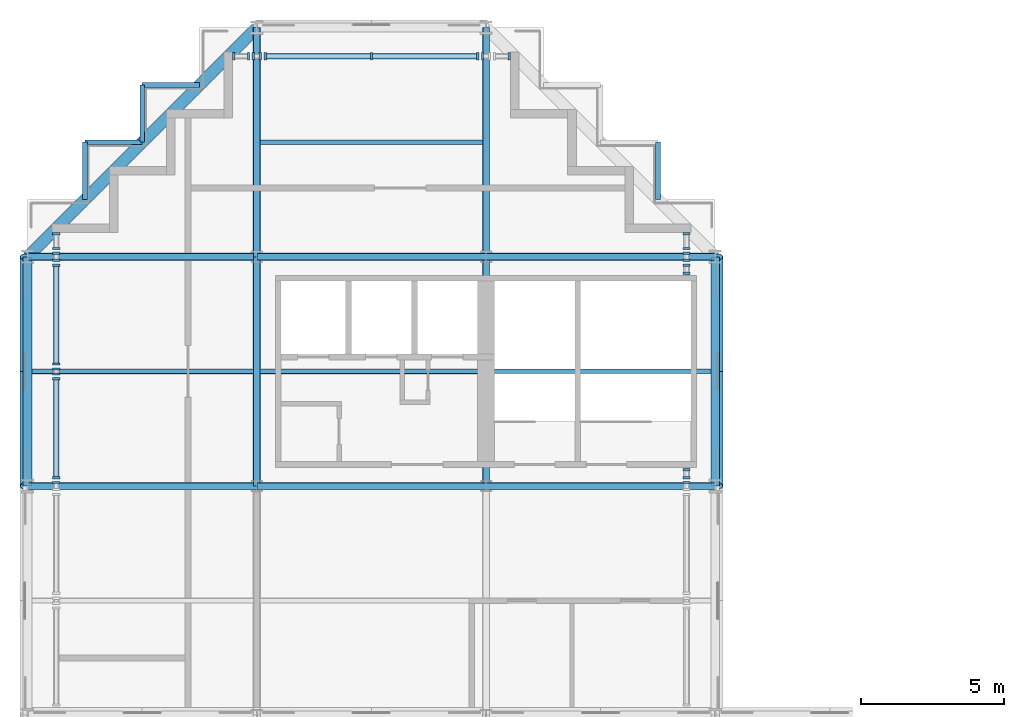
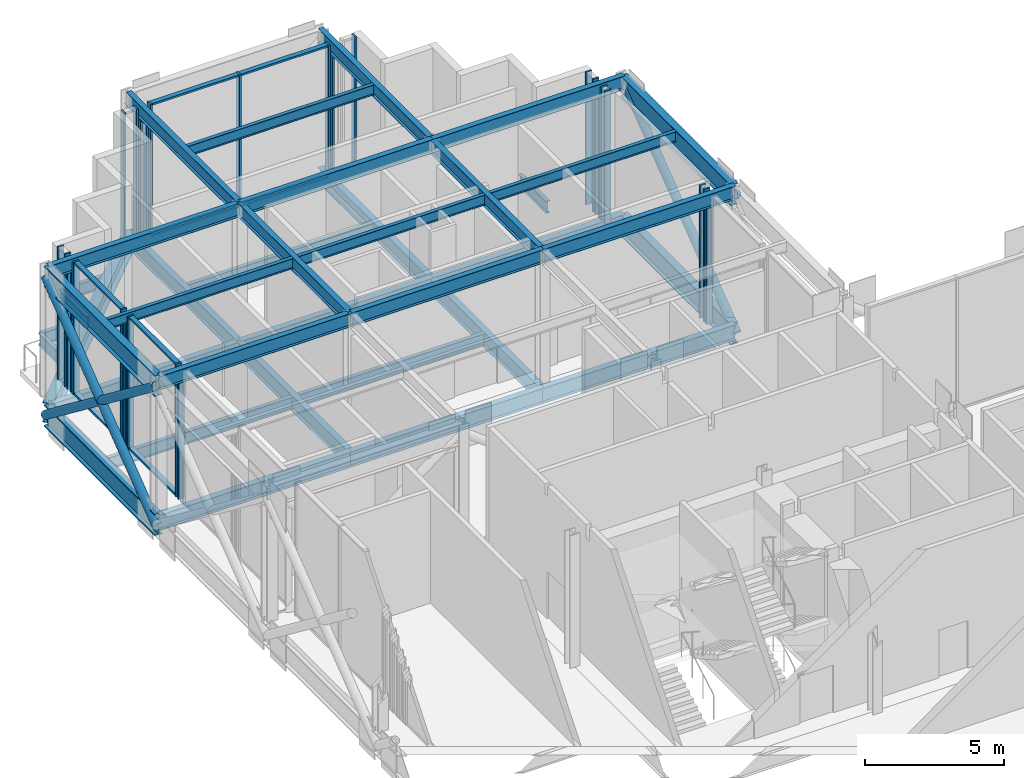
# One storey, part 5 of 23: 41 members, 37 beams, 16 elements without a shape of their own.
"""IFC4 building model written with IfcOpenShell, lengths in metres."""

from ifc_helpers import new_model, si_unit, direction, frame, origin, origin_2d, place, context, subcontext, project, spatial, rectangle, hollow_circle, i_section, extrude, material, material_profile, profile_set, type_object, element, aggregate, save


model = new_model("IFC4")

# Units and contexts
model_context = context("Model", 3, precision=1e-05, world=origin(), true_north=direction((0.0, 1.0)))
body_context = subcontext(model_context, "Body", "Model", "MODEL_VIEW")
ifc_project = project(units=[si_unit("LENGTHUNIT", "METRE"), si_unit("AREAUNIT", "SQUARE_METRE"), si_unit("VOLUMEUNIT", "CUBIC_METRE"), si_unit("PLANEANGLEUNIT", "RADIAN"), si_unit("MASSUNIT", "GRAM", prefix="KILO")], contexts=[model_context])

# Site, building, storey
site_placement = place(None, origin())
site = spatial("IfcSite", under=ifc_project, at=site_placement, CompositionType="ELEMENT")
building_placement = place(site_placement, origin())
building = spatial("IfcBuilding", under=site, at=building_placement, Name="Immortelle Media Tower", CompositionType="ELEMENT")
storey_placement = place(building_placement, frame((0.0, 0.0, 183.0)))
storey = spatial("IfcBuildingStorey", under=building, at=storey_placement, Name="L38", CompositionType="ELEMENT", Elevation=183.0)

# Members
ifc_material_1 = material(Name="Steel ASTM A500 Gr C", Category="steel")
ifc_material_profile_1 = material_profile(ifc_material_1, hollow_circle(Radius=0.177978515625, WallThickness=0.011962890625, at=origin_2d()), Name="HSS14.000x0.500 truss diagonal")
ifc_profile_set_1 = profile_set([ifc_material_profile_1], Name="Steel ASTM A500 Gr C")
member_type_1 = type_object("IfcMemberType", Name="HSS14.000x0.500 truss diagonal", PredefinedType="BRACE", material=ifc_profile_set_1)
for number, where, z_axis, x_axis, name in (
    (1, (-0.087890625, 32.0, -0.72509765625), (0.0, 0.794333061913, 0.607482499132), (-1.0, 0.0, 0.0), "Belt truss 1/E-F A"),
    (2, (-0.087890625, 32.0, 5.39306640625), (0.0, 0.794333061913, -0.607482499132), (-1.0, 0.0, 0.0), "Belt truss 1/E-F B"),
    (3, (24.087890625, 32.0, -0.72509765625), (0.0, 0.794333061913, 0.607482499132), (-1.0, 0.0, 0.0), "Belt truss 4/E-F A"),
    (4, (24.087890625, 32.0, 5.39306640625), (0.0, 0.794333061913, -0.607482499132), (-1.0, 0.0, 0.0), "Belt truss 4/E-F B"),
):
    element("IfcMember", number, at=place(storey_placement, frame(where, z_axis=z_axis, x_axis=x_axis)), inside=storey, type_object=member_type_1, Name=name, PredefinedType="BRACE", context=body_context, shape_type="SweptSolid", body=[
        extrude(hollow_circle(Radius=0.177978515625, WallThickness=0.011962890625, at=origin_2d()), origin(), (0.0, 0.0, 1.0), 10.0712890625),
    ])

# Curtain wall, member
ifc_material_2 = material(Name="Aluminium curtain wall system", Category="aluminium")
curtain_wall_type = type_object("IfcCurtainWallType", Name="Plant louvre wall curtain wall", PredefinedType="NOTDEFINED", material=ifc_material_2)
curtain_wall_1_placement = place(storey_placement, origin())
curtain_wall_1 = element("IfcCurtainWall", 5, at=curtain_wall_1_placement, inside=storey, type_object=curtain_wall_type, Name="Plant louvre wall L38 E 22-5", PredefinedType="NOTDEFINED")
ifc_material_3 = material(Name="Aluminium 6063-T6", Category="aluminium")
ifc_material_profile_2 = material_profile(ifc_material_3, rectangle(XDim=0.25, YDim=0.080078125, at=origin_2d()), Name="AL 80x250")
ifc_profile_set_2 = profile_set([ifc_material_profile_2], Name="Aluminium 6063-T6")
member_type_2 = type_object("IfcMemberType", Name="Plant louvre wall mullion 80 x 250", PredefinedType="MULLION", material=ifc_profile_set_2)
member_1_placement = place(storey_placement, frame((23.0, 32.1240234375, 0.0), z_axis=(0.0, 0.0, 1.0), x_axis=(-1.0, 0.0, 0.0)))
member_1 = element("IfcMember", 6, at=member_1_placement, type_object=member_type_2, Name="CW6 mullion 2", PredefinedType="MULLION", context=body_context, shape_type="SweptSolid", body=[
    extrude(rectangle(XDim=0.25, YDim=0.080078125, at=origin_2d()), origin(), (0.0, 0.0, 1.0), 5.24755859375),
])
aggregate(curtain_wall_1, [member_1])

# Curtain wall, members
curtain_wall_2_placement = place(storey_placement, origin())
curtain_wall_2 = element("IfcCurtainWall", 7, at=curtain_wall_2_placement, inside=storey, type_object=curtain_wall_type, Name="Plant louvre wall L38 E 22-6", PredefinedType="NOTDEFINED")
member_2_placement = place(storey_placement, frame((23.0, 32.2939453125, 0.0), z_axis=(0.0, 0.0, 1.0), x_axis=(-1.0, 0.0, 0.0)))
member_2 = element("IfcMember", 8, at=member_2_placement, type_object=member_type_2, Name="CW6 mullion 1", PredefinedType="MULLION", context=body_context, shape_type="SweptSolid", body=[
    extrude(rectangle(XDim=0.25, YDim=0.080078125, at=origin_2d()), origin(), (0.0, 0.0, 1.0), 5.849609375),
])
member_3_placement = place(storey_placement, frame((23.0, 32.570556640625, 0.0), z_axis=(0.0, 0.0, 1.0), x_axis=(-1.0, 0.0, 0.0)))
member_3 = element("IfcMember", 9, at=member_3_placement, type_object=member_type_2, Name="CW6 mullion 2", PredefinedType="MULLION", context=body_context, shape_type="SweptSolid", body=[
    extrude(rectangle(XDim=0.25, YDim=0.080078125, at=origin_2d()), origin(), (0.0, 0.0, 1.0), 5.849609375),
])
aggregate(curtain_wall_2, [member_2, member_3])

curtain_wall_3_placement = place(storey_placement, origin())
curtain_wall_3 = element("IfcCurtainWall", 10, at=curtain_wall_3_placement, inside=storey, type_object=curtain_wall_type, Name="Plant louvre wall L38 E 22-7", PredefinedType="NOTDEFINED")
member_4_placement = place(storey_placement, frame((23.0, 39.429443359375, 0.0), z_axis=(0.0, 0.0, 1.0), x_axis=(-1.0, 0.0, 0.0)))
member_4 = element("IfcMember", 11, at=member_4_placement, type_object=member_type_2, Name="CW6 mullion 1", PredefinedType="MULLION", context=body_context, shape_type="SweptSolid", body=[
    extrude(rectangle(XDim=0.25, YDim=0.080078125, at=origin_2d()), origin(), (0.0, 0.0, 1.0), 5.849609375),
])
member_5_placement = place(storey_placement, frame((23.0, 39.7060546875, 0.0), z_axis=(0.0, 0.0, 1.0), x_axis=(-1.0, 0.0, 0.0)))
member_5 = element("IfcMember", 12, at=member_5_placement, type_object=member_type_2, Name="CW6 mullion 2", PredefinedType="MULLION", context=body_context, shape_type="SweptSolid", body=[
    extrude(rectangle(XDim=0.25, YDim=0.080078125, at=origin_2d()), origin(), (0.0, 0.0, 1.0), 5.849609375),
])
aggregate(curtain_wall_3, [member_4, member_5])

curtain_wall_4_placement = place(storey_placement, origin())
curtain_wall_4 = element("IfcCurtainWall", 13, at=curtain_wall_4_placement, inside=storey, type_object=curtain_wall_type, Name="Plant louvre wall L38 E 22-8", PredefinedType="NOTDEFINED")
member_6_placement = place(storey_placement, frame((23.0, 39.8759765625, 0.0), z_axis=(0.0, 0.0, 1.0), x_axis=(-1.0, 0.0, 0.0)))
member_6 = element("IfcMember", 14, at=member_6_placement, type_object=member_type_2, Name="CW6 mullion 1", PredefinedType="MULLION", context=body_context, shape_type="SweptSolid", body=[
    extrude(rectangle(XDim=0.25, YDim=0.080078125, at=origin_2d()), origin(), (0.0, 0.0, 1.0), 5.24755859375),
])
member_7_placement = place(storey_placement, frame((23.0, 40.1240234375, 0.0), z_axis=(0.0, 0.0, 1.0), x_axis=(-1.0, 0.0, 0.0)))
member_7 = element("IfcMember", 15, at=member_7_placement, type_object=member_type_2, Name="CW6 mullion 2", PredefinedType="MULLION", context=body_context, shape_type="SweptSolid", body=[
    extrude(rectangle(XDim=0.25, YDim=0.080078125, at=origin_2d()), origin(), (0.0, 0.0, 1.0), 5.24755859375),
])
aggregate(curtain_wall_4, [member_6, member_7])

curtain_wall_5_placement = place(storey_placement, origin())
curtain_wall_5 = element("IfcCurtainWall", 16, at=curtain_wall_5_placement, inside=storey, type_object=curtain_wall_type, Name="Plant louvre wall L38 E 22-9", PredefinedType="NOTDEFINED")
member_8_placement = place(storey_placement, frame((23.0, 40.2939453125, 0.0), z_axis=(0.0, 0.0, 1.0), x_axis=(-1.0, 0.0, 0.0)))
member_8 = element("IfcMember", 17, at=member_8_placement, type_object=member_type_2, Name="CW6 mullion 1", PredefinedType="MULLION", context=body_context, shape_type="SweptSolid", body=[
    extrude(rectangle(XDim=0.25, YDim=0.080078125, at=origin_2d()), origin(), (0.0, 0.0, 1.0), 5.849609375),
])
member_9_placement = place(storey_placement, frame((23.0, 40.81005859375, 0.0), z_axis=(0.0, 0.0, 1.0), x_axis=(-1.0, 0.0, 0.0)))
member_9 = element("IfcMember", 18, at=member_9_placement, type_object=member_type_2, Name="CW6 mullion 2", PredefinedType="MULLION", context=body_context, shape_type="SweptSolid", body=[
    extrude(rectangle(XDim=0.25, YDim=0.080078125, at=origin_2d()), origin(), (0.0, 0.0, 1.0), 5.849609375),
])
aggregate(curtain_wall_5, [member_8, member_9])

# Curtain wall, member
curtain_wall_6_placement = place(storey_placement, origin())
curtain_wall_6 = element("IfcCurtainWall", 19, at=curtain_wall_6_placement, inside=storey, type_object=curtain_wall_type, Name="Plant louvre wall L38 N 29-1", PredefinedType="NOTDEFINED")
member_10_placement = place(storey_placement, frame((16.81005859375, 47.0, 0.0), z_axis=(0.0, 0.0, 1.0), x_axis=(0.0, -1.0, 0.0)))
member_10 = element("IfcMember", 20, at=member_10_placement, type_object=member_type_2, Name="CW6 mullion 1", PredefinedType="MULLION", context=body_context, shape_type="SweptSolid", body=[
    extrude(rectangle(XDim=0.25, YDim=0.080078125, at=origin_2d()), origin(), (0.0, 0.0, 1.0), 5.849609375),
])
aggregate(curtain_wall_6, [member_10])

curtain_wall_7_placement = place(storey_placement, origin())
curtain_wall_7 = element("IfcCurtainWall", 21, at=curtain_wall_7_placement, inside=storey, type_object=curtain_wall_type, Name="Plant louvre wall L38 N 29-2", PredefinedType="NOTDEFINED")
member_11_placement = place(storey_placement, frame((15.8759765625, 47.0, 0.0), z_axis=(0.0, 0.0, 1.0), x_axis=(0.0, -1.0, 0.0)))
member_11 = element("IfcMember", 22, at=member_11_placement, type_object=member_type_2, Name="CW6 mullion 2", PredefinedType="MULLION", context=body_context, shape_type="SweptSolid", body=[
    extrude(rectangle(XDim=0.25, YDim=0.080078125, at=origin_2d()), origin(), (0.0, 0.0, 1.0), 5.24755859375),
])
aggregate(curtain_wall_7, [member_11])

# Curtain wall, members
curtain_wall_8_placement = place(storey_placement, origin())
curtain_wall_8 = element("IfcCurtainWall", 23, at=curtain_wall_8_placement, inside=storey, type_object=curtain_wall_type, Name="Plant louvre wall L38 N 29-3", PredefinedType="NOTDEFINED")
member_12_placement = place(storey_placement, frame((15.7060546875, 47.0, 0.0), z_axis=(0.0, 0.0, 1.0), x_axis=(0.0, -1.0, 0.0)))
member_12 = element("IfcMember", 24, at=member_12_placement, type_object=member_type_2, Name="CW6 mullion 1", PredefinedType="MULLION", context=body_context, shape_type="SweptSolid", body=[
    extrude(rectangle(XDim=0.25, YDim=0.080078125, at=origin_2d()), origin(), (0.0, 0.0, 1.0), 5.849609375),
])
member_13_placement = place(storey_placement, frame((12.0, 47.0, 0.0), z_axis=(0.0, 0.0, 1.0), x_axis=(0.0, -1.0, 0.0)))
member_13 = element("IfcMember", 25, at=member_13_placement, type_object=member_type_2, Name="CW6 mullion 2", PredefinedType="MULLION", context=body_context, shape_type="SweptSolid", body=[
    extrude(rectangle(XDim=0.25, YDim=0.080078125, at=origin_2d()), origin(), (0.0, 0.0, 1.0), 5.849609375),
])
member_14_placement = place(storey_placement, frame((8.2939453125, 47.0, 0.0), z_axis=(0.0, 0.0, 1.0), x_axis=(0.0, -1.0, 0.0)))
member_14 = element("IfcMember", 26, at=member_14_placement, type_object=member_type_2, Name="CW6 mullion 3", PredefinedType="MULLION", context=body_context, shape_type="SweptSolid", body=[
    extrude(rectangle(XDim=0.25, YDim=0.080078125, at=origin_2d()), origin(), (0.0, 0.0, 1.0), 5.849609375),
])

curtain_wall_9_placement = place(storey_placement, origin())
curtain_wall_9 = element("IfcCurtainWall", 27, at=curtain_wall_9_placement, inside=storey, type_object=curtain_wall_type, Name="Plant louvre wall L38 N 29-4", PredefinedType="NOTDEFINED")
member_15_placement = place(storey_placement, frame((8.1240234375, 47.0, 0.0), z_axis=(0.0, 0.0, 1.0), x_axis=(0.0, -1.0, 0.0)))
member_15 = element("IfcMember", 28, at=member_15_placement, type_object=member_type_2, Name="CW6 mullion 1", PredefinedType="MULLION", context=body_context, shape_type="SweptSolid", body=[
    extrude(rectangle(XDim=0.25, YDim=0.080078125, at=origin_2d()), origin(), (0.0, 0.0, 1.0), 5.24755859375),
])
member_16_placement = place(storey_placement, frame((7.8759765625, 47.0, 0.0), z_axis=(0.0, 0.0, 1.0), x_axis=(0.0, -1.0, 0.0)))
member_16 = element("IfcMember", 29, at=member_16_placement, type_object=member_type_2, Name="CW6 mullion 2", PredefinedType="MULLION", context=body_context, shape_type="SweptSolid", body=[
    extrude(rectangle(XDim=0.25, YDim=0.080078125, at=origin_2d()), origin(), (0.0, 0.0, 1.0), 5.24755859375),
])
aggregate(curtain_wall_9, [member_15, member_16])

curtain_wall_10_placement = place(storey_placement, origin())
curtain_wall_10 = element("IfcCurtainWall", 30, at=curtain_wall_10_placement, inside=storey, type_object=curtain_wall_type, Name="Plant louvre wall L38 N 29-5", PredefinedType="NOTDEFINED")
member_17_placement = place(storey_placement, frame((7.7060546875, 47.0, 0.0), z_axis=(0.0, 0.0, 1.0), x_axis=(0.0, -1.0, 0.0)))
member_17 = element("IfcMember", 31, at=member_17_placement, type_object=member_type_2, Name="CW6 mullion 1", PredefinedType="MULLION", context=body_context, shape_type="SweptSolid", body=[
    extrude(rectangle(XDim=0.25, YDim=0.080078125, at=origin_2d()), origin(), (0.0, 0.0, 1.0), 5.849609375),
])
member_18_placement = place(storey_placement, frame((7.18994140625, 47.0, 0.0), z_axis=(0.0, 0.0, 1.0), x_axis=(0.0, -1.0, 0.0)))
member_18 = element("IfcMember", 32, at=member_18_placement, type_object=member_type_2, Name="CW6 mullion 2", PredefinedType="MULLION", context=body_context, shape_type="SweptSolid", body=[
    extrude(rectangle(XDim=0.25, YDim=0.080078125, at=origin_2d()), origin(), (0.0, 0.0, 1.0), 5.849609375),
])
aggregate(curtain_wall_10, [member_17, member_18])

curtain_wall_11_placement = place(storey_placement, origin())
curtain_wall_11 = element("IfcCurtainWall", 33, at=curtain_wall_11_placement, inside=storey, type_object=curtain_wall_type, Name="Plant louvre wall L38 W 36-1", PredefinedType="NOTDEFINED")
member_19_placement = place(storey_placement, frame((1.0, 40.81005859375, 0.0), z_axis=(0.0, 0.0, 1.0), x_axis=(1.0, 0.0, 0.0)))
member_19 = element("IfcMember", 34, at=member_19_placement, type_object=member_type_2, Name="CW6 mullion 1", PredefinedType="MULLION", context=body_context, shape_type="SweptSolid", body=[
    extrude(rectangle(XDim=0.25, YDim=0.080078125, at=origin_2d()), origin(), (0.0, 0.0, 1.0), 5.849609375),
])
member_20_placement = place(storey_placement, frame((1.0, 40.2939453125, 0.0), z_axis=(0.0, 0.0, 1.0), x_axis=(1.0, 0.0, 0.0)))
member_20 = element("IfcMember", 35, at=member_20_placement, type_object=member_type_2, Name="CW6 mullion 2", PredefinedType="MULLION", context=body_context, shape_type="SweptSolid", body=[
    extrude(rectangle(XDim=0.25, YDim=0.080078125, at=origin_2d()), origin(), (0.0, 0.0, 1.0), 5.849609375),
])
aggregate(curtain_wall_11, [member_19, member_20])

curtain_wall_12_placement = place(storey_placement, origin())
curtain_wall_12 = element("IfcCurtainWall", 36, at=curtain_wall_12_placement, inside=storey, type_object=curtain_wall_type, Name="Plant louvre wall L38 W 36-2", PredefinedType="NOTDEFINED")
member_21_placement = place(storey_placement, frame((1.0, 40.1240234375, 0.0), z_axis=(0.0, 0.0, 1.0), x_axis=(1.0, 0.0, 0.0)))
member_21 = element("IfcMember", 37, at=member_21_placement, type_object=member_type_2, Name="CW6 mullion 1", PredefinedType="MULLION", context=body_context, shape_type="SweptSolid", body=[
    extrude(rectangle(XDim=0.25, YDim=0.080078125, at=origin_2d()), origin(), (0.0, 0.0, 1.0), 5.24755859375),
])
member_22_placement = place(storey_placement, frame((1.0, 39.8759765625, 0.0), z_axis=(0.0, 0.0, 1.0), x_axis=(1.0, 0.0, 0.0)))
member_22 = element("IfcMember", 38, at=member_22_placement, type_object=member_type_2, Name="CW6 mullion 2", PredefinedType="MULLION", context=body_context, shape_type="SweptSolid", body=[
    extrude(rectangle(XDim=0.25, YDim=0.080078125, at=origin_2d()), origin(), (0.0, 0.0, 1.0), 5.24755859375),
])
aggregate(curtain_wall_12, [member_21, member_22])

curtain_wall_13_placement = place(storey_placement, origin())
curtain_wall_13 = element("IfcCurtainWall", 39, at=curtain_wall_13_placement, inside=storey, type_object=curtain_wall_type, Name="Plant louvre wall L38 W 36-3", PredefinedType="NOTDEFINED")
member_23_placement = place(storey_placement, frame((1.0, 39.7060546875, 0.0), z_axis=(0.0, 0.0, 1.0), x_axis=(1.0, 0.0, 0.0)))
member_23 = element("IfcMember", 40, at=member_23_placement, type_object=member_type_2, Name="CW6 mullion 1", PredefinedType="MULLION", context=body_context, shape_type="SweptSolid", body=[
    extrude(rectangle(XDim=0.25, YDim=0.080078125, at=origin_2d()), origin(), (0.0, 0.0, 1.0), 5.849609375),
])
member_24_placement = place(storey_placement, frame((1.0, 36.256591796875, 0.0), z_axis=(0.0, 0.0, 1.0), x_axis=(1.0, 0.0, 0.0)))
member_24 = element("IfcMember", 41, at=member_24_placement, type_object=member_type_2, Name="CW6 mullion 2", PredefinedType="MULLION", context=body_context, shape_type="SweptSolid", body=[
    extrude(rectangle(XDim=0.25, YDim=0.080078125, at=origin_2d()), origin(), (0.0, 0.0, 1.0), 5.849609375),
])

curtain_wall_14_placement = place(storey_placement, origin())
curtain_wall_14 = element("IfcCurtainWall", 42, at=curtain_wall_14_placement, inside=storey, type_object=curtain_wall_type, Name="Plant louvre wall L38 W 36-4", PredefinedType="NOTDEFINED")
member_25_placement = place(storey_placement, frame((1.0, 36.08642578125, 0.0), z_axis=(0.0, 0.0, 1.0), x_axis=(1.0, 0.0, 0.0)))
member_25 = element("IfcMember", 43, at=member_25_placement, type_object=member_type_2, Name="CW6 mullion 1", PredefinedType="MULLION", context=body_context, shape_type="SweptSolid", body=[
    extrude(rectangle(XDim=0.25, YDim=0.080078125, at=origin_2d()), origin(), (0.0, 0.0, 1.0), 5.39453125),
])
member_26_placement = place(storey_placement, frame((1.0, 35.91357421875, 0.0), z_axis=(0.0, 0.0, 1.0), x_axis=(1.0, 0.0, 0.0)))
member_26 = element("IfcMember", 44, at=member_26_placement, type_object=member_type_2, Name="CW6 mullion 2", PredefinedType="MULLION", context=body_context, shape_type="SweptSolid", body=[
    extrude(rectangle(XDim=0.25, YDim=0.080078125, at=origin_2d()), origin(), (0.0, 0.0, 1.0), 5.39453125),
])
aggregate(curtain_wall_14, [member_25, member_26])

curtain_wall_15_placement = place(storey_placement, origin())
curtain_wall_15 = element("IfcCurtainWall", 45, at=curtain_wall_15_placement, inside=storey, type_object=curtain_wall_type, Name="Plant louvre wall L38 W 36-5", PredefinedType="NOTDEFINED")
member_27_placement = place(storey_placement, frame((1.0, 35.743408203125, 0.0), z_axis=(0.0, 0.0, 1.0), x_axis=(1.0, 0.0, 0.0)))
member_27 = element("IfcMember", 46, at=member_27_placement, type_object=member_type_2, Name="CW6 mullion 1", PredefinedType="MULLION", context=body_context, shape_type="SweptSolid", body=[
    extrude(rectangle(XDim=0.25, YDim=0.080078125, at=origin_2d()), origin(), (0.0, 0.0, 1.0), 5.849609375),
])
member_28_placement = place(storey_placement, frame((1.0, 32.2939453125, 0.0), z_axis=(0.0, 0.0, 1.0), x_axis=(1.0, 0.0, 0.0)))
member_28 = element("IfcMember", 47, at=member_28_placement, type_object=member_type_2, Name="CW6 mullion 2", PredefinedType="MULLION", context=body_context, shape_type="SweptSolid", body=[
    extrude(rectangle(XDim=0.25, YDim=0.080078125, at=origin_2d()), origin(), (0.0, 0.0, 1.0), 5.849609375),
])

# Curtain wall, member
curtain_wall_16_placement = place(storey_placement, origin())
curtain_wall_16 = element("IfcCurtainWall", 48, at=curtain_wall_16_placement, inside=storey, type_object=curtain_wall_type, Name="Plant louvre wall L38 W 36-6", PredefinedType="NOTDEFINED")
member_29_placement = place(storey_placement, frame((1.0, 32.1240234375, 0.0), z_axis=(0.0, 0.0, 1.0), x_axis=(1.0, 0.0, 0.0)))
member_29 = element("IfcMember", 49, at=member_29_placement, type_object=member_type_2, Name="CW6 mullion 1", PredefinedType="MULLION", context=body_context, shape_type="SweptSolid", body=[
    extrude(rectangle(XDim=0.25, YDim=0.080078125, at=origin_2d()), origin(), (0.0, 0.0, 1.0), 5.24755859375),
])
aggregate(curtain_wall_16, [member_29])

# Member
ifc_material_profile_3 = material_profile(ifc_material_3, rectangle(XDim=0.199951171875, YDim=0.080078125, at=origin_2d()), Name="AL 80x200")
ifc_profile_set_3 = profile_set([ifc_material_profile_3], Name="Aluminium 6063-T6")
member_type_3 = type_object("IfcMemberType", Name="Plant louvre wall transom 80 x 200", PredefinedType="USERDEFINED", material=ifc_profile_set_3)
member_30_placement = place(storey_placement, frame((15.666015625, 47.0, 0.0400390625), z_axis=(-1.0, 0.0, 0.0), x_axis=(0.0, -1.0, 0.0)))
member_30 = element("IfcMember", 50, at=member_30_placement, type_object=member_type_3, Name="CW6 transom 1.1", ObjectType="TRANSOM", PredefinedType="USERDEFINED", context=body_context, shape_type="SweptSolid", body=[
    extrude(rectangle(XDim=0.199951171875, YDim=0.080078125, at=origin_2d()), origin(), (0.0, 0.0, 1.0), 3.6259765625),
])

member_31_placement = place(storey_placement, frame((15.666015625, 47.0, 5.8095703125), z_axis=(-1.0, 0.0, 0.0), x_axis=(0.0, -1.0, 0.0)))
member_31 = element("IfcMember", 51, at=member_31_placement, type_object=member_type_3, Name="CW6 transom 1.2", ObjectType="TRANSOM", PredefinedType="USERDEFINED", context=body_context, shape_type="SweptSolid", body=[
    extrude(rectangle(XDim=0.199951171875, YDim=0.080078125, at=origin_2d()), origin(), (0.0, 0.0, 1.0), 3.6259765625),
])

member_32_placement = place(storey_placement, frame((11.9599609375, 47.0, 0.0400390625), z_axis=(-1.0, 0.0, 0.0), x_axis=(0.0, -1.0, 0.0)))
member_32 = element("IfcMember", 52, at=member_32_placement, type_object=member_type_3, Name="CW6 transom 2.1", ObjectType="TRANSOM", PredefinedType="USERDEFINED", context=body_context, shape_type="SweptSolid", body=[
    extrude(rectangle(XDim=0.199951171875, YDim=0.080078125, at=origin_2d()), origin(), (0.0, 0.0, 1.0), 3.6259765625),
])

member_33_placement = place(storey_placement, frame((11.9599609375, 47.0, 5.8095703125), z_axis=(-1.0, 0.0, 0.0), x_axis=(0.0, -1.0, 0.0)))
member_33 = element("IfcMember", 53, at=member_33_placement, type_object=member_type_3, Name="CW6 transom 2.2", ObjectType="TRANSOM", PredefinedType="USERDEFINED", context=body_context, shape_type="SweptSolid", body=[
    extrude(rectangle(XDim=0.199951171875, YDim=0.080078125, at=origin_2d()), origin(), (0.0, 0.0, 1.0), 3.6259765625),
])

aggregate(curtain_wall_8, [member_12, member_13, member_14, member_30, member_31, member_32, member_33])

member_34_placement = place(storey_placement, frame((1.0, 39.666015625, 0.0400390625), z_axis=(0.0, -1.0, 0.0), x_axis=(1.0, 0.0, 0.0)))
member_34 = element("IfcMember", 54, at=member_34_placement, type_object=member_type_3, Name="CW6 transom 1.1", ObjectType="TRANSOM", PredefinedType="USERDEFINED", context=body_context, shape_type="SweptSolid", body=[
    extrude(rectangle(XDim=0.199951171875, YDim=0.080078125, at=origin_2d()), origin(), (0.0, 0.0, 1.0), 3.36962890625),
])

member_35_placement = place(storey_placement, frame((1.0, 39.666015625, 5.8095703125), z_axis=(0.0, -1.0, 0.0), x_axis=(1.0, 0.0, 0.0)))
member_35 = element("IfcMember", 55, at=member_35_placement, type_object=member_type_3, Name="CW6 transom 1.2", ObjectType="TRANSOM", PredefinedType="USERDEFINED", context=body_context, shape_type="SweptSolid", body=[
    extrude(rectangle(XDim=0.199951171875, YDim=0.080078125, at=origin_2d()), origin(), (0.0, 0.0, 1.0), 3.36962890625),
])

aggregate(curtain_wall_13, [member_23, member_24, member_34, member_35])

member_36_placement = place(storey_placement, frame((1.0, 35.70361328125, 0.0400390625), z_axis=(0.0, -1.0, 0.0), x_axis=(1.0, 0.0, 0.0)))
member_36 = element("IfcMember", 56, at=member_36_placement, type_object=member_type_3, Name="CW6 transom 1.1", ObjectType="TRANSOM", PredefinedType="USERDEFINED", context=body_context, shape_type="SweptSolid", body=[
    extrude(rectangle(XDim=0.199951171875, YDim=0.080078125, at=origin_2d()), origin(), (0.0, 0.0, 1.0), 3.36962890625),
])

member_37_placement = place(storey_placement, frame((1.0, 35.70361328125, 5.8095703125), z_axis=(0.0, -1.0, 0.0), x_axis=(1.0, 0.0, 0.0)))
member_37 = element("IfcMember", 57, at=member_37_placement, type_object=member_type_3, Name="CW6 transom 1.2", ObjectType="TRANSOM", PredefinedType="USERDEFINED", context=body_context, shape_type="SweptSolid", body=[
    extrude(rectangle(XDim=0.199951171875, YDim=0.080078125, at=origin_2d()), origin(), (0.0, 0.0, 1.0), 3.36962890625),
])

aggregate(curtain_wall_15, [member_27, member_28, member_36, member_37])

# Beams
ifc_material_4 = material(Name="Steel ASTM A992 Gr 50", Category="steel")
ifc_material_profile_4 = material_profile(ifc_material_4, i_section(OverallWidth=0.153076171875, OverallDepth=0.455078125, WebThickness=0.008056640625, FlangeThickness=0.012939453125, at=origin_2d()), Name="W18x40")
ifc_profile_set_4 = profile_set([ifc_material_profile_4], Name="Steel ASTM A992 Gr 50")
beam_type_1 = type_object("IfcBeamType", Name="W18x40 secondary beam", PredefinedType="JOIST", material=ifc_profile_set_4)
beam_1_placement = place(storey_placement, frame((0.152587890625, 36.0, 5.62255859375), z_axis=(1.0, 0.0, 0.0), x_axis=(0.0, 1.0, 0.0)))
element("IfcBeam", 58, at=beam_1_placement, inside=storey, type_object=beam_type_1, Name="Beam E-F/1-2", PredefinedType="JOIST", context=body_context, shape_type="SweptSolid", body=[
    extrude(i_section(OverallWidth=0.153076171875, OverallDepth=0.455078125, WebThickness=0.008056640625, FlangeThickness=0.012939453125, at=origin_2d()), origin(), (0.0, 0.0, 1.0), 7.7333984375),
])
beam_2_placement = place(storey_placement, frame((8.114013671875, 36.0, 5.62255859375), z_axis=(1.0, 0.0, 0.0), x_axis=(0.0, 1.0, 0.0)))
element("IfcBeam", 59, at=beam_2_placement, inside=storey, type_object=beam_type_1, Name="Beam E-F/2-3", PredefinedType="JOIST", context=body_context, shape_type="SweptSolid", body=[
    extrude(i_section(OverallWidth=0.153076171875, OverallDepth=0.455078125, WebThickness=0.008056640625, FlangeThickness=0.012939453125, at=origin_2d()), origin(), (0.0, 0.0, 1.0), 7.77197265625),
])
beam_3_placement = place(storey_placement, frame((16.114013671875, 36.0, 5.62255859375), z_axis=(1.0, 0.0, 0.0), x_axis=(0.0, 1.0, 0.0)))
element("IfcBeam", 60, at=beam_3_placement, inside=storey, type_object=beam_type_1, Name="Beam E-F/3-4", PredefinedType="JOIST", context=body_context, shape_type="SweptSolid", body=[
    extrude(i_section(OverallWidth=0.153076171875, OverallDepth=0.455078125, WebThickness=0.008056640625, FlangeThickness=0.012939453125, at=origin_2d()), origin(), (0.0, 0.0, 1.0), 7.7333984375),
])
beam_4_placement = place(storey_placement, frame((8.114013671875, 44.0, 5.62255859375), z_axis=(1.0, 0.0, 0.0), x_axis=(0.0, 1.0, 0.0)))
element("IfcBeam", 61, at=beam_4_placement, inside=storey, type_object=beam_type_1, Name="Beam F-G/2-3", PredefinedType="JOIST", context=body_context, shape_type="SweptSolid", body=[
    extrude(i_section(OverallWidth=0.153076171875, OverallDepth=0.455078125, WebThickness=0.008056640625, FlangeThickness=0.012939453125, at=origin_2d()), origin(), (0.0, 0.0, 1.0), 7.77197265625),
])
ifc_material_profile_5 = material_profile(ifc_material_4, i_section(OverallWidth=0.1669921875, OverallDepth=0.535888671875, WebThickness=0.010009765625, FlangeThickness=0.01708984375, at=origin_2d()), Name="W21x57")
ifc_profile_set_5 = profile_set([ifc_material_profile_5], Name="Steel ASTM A992 Gr 50")
beam_type_2 = type_object("IfcBeamType", Name="W21x57 secondary beam", PredefinedType="JOIST", material=ifc_profile_set_5)
beam_5_placement = place(storey_placement, frame((0.155029296875, 36.0, -0.51806640625), z_axis=(1.0, 0.0, 0.0), x_axis=(0.0, 1.0, 0.0)))
element("IfcBeam", 62, at=beam_5_placement, inside=storey, type_object=beam_type_2, Name="Beam E-F/1-2", PredefinedType="JOIST", context=body_context, shape_type="SweptSolid", body=[
    extrude(i_section(OverallWidth=0.1669921875, OverallDepth=0.535888671875, WebThickness=0.010009765625, FlangeThickness=0.01708984375, at=origin_2d()), origin(), (0.0, 0.0, 1.0), 7.718505859375),
])
for number, where, z_axis, x_axis, name in (
    (63, (8.12646484375, 36.0, -0.51806640625), (1.0, 0.0, 0.0), (0.0, 1.0, 0.0), "Beam E-F/2-3"),
    (64, (8.12646484375, 44.0, -0.51806640625), (1.0, 0.0, 0.0), (0.0, 1.0, 0.0), "Beam F-G/2-3"),
):
    element("IfcBeam", number, at=place(storey_placement, frame(where, z_axis=z_axis, x_axis=x_axis)), inside=storey, type_object=beam_type_2, Name=name, PredefinedType="JOIST", context=body_context, shape_type="SweptSolid", body=[
        extrude(i_section(OverallWidth=0.1669921875, OverallDepth=0.535888671875, WebThickness=0.010009765625, FlangeThickness=0.01708984375, at=origin_2d()), origin(), (0.0, 0.0, 1.0), 7.7470703125),
    ])
ifc_material_profile_6 = material_profile(ifc_material_4, i_section(OverallWidth=0.1669921875, OverallDepth=0.535888671875, WebThickness=0.010009765625, FlangeThickness=0.01708984375, at=origin_2d()), Name="W21x57")
ifc_profile_set_6 = profile_set([ifc_material_profile_6], Name="Steel ASTM A992 Gr 50")
beam_type_3 = type_object("IfcBeamType", Name="W21x57 serration edge beam", PredefinedType="SPANDREL", material=ifc_profile_set_6)
for number, where, z_axis, x_axis, name in (
    (65, (2.0, 42.0, -0.51806640625), (0.0, 1.0, 0.0), (-1.0, 0.0, 0.0), "Corner edge beam 1 at 1/G"),
    (66, (2.0, 44.0, -0.51806640625), (1.0, 0.0, 0.0), (0.0, 1.0, 0.0), "Corner edge beam 2 at 1/G"),
    (67, (4.0, 44.0, -0.51806640625), (0.0, 1.0, 0.0), (-1.0, 0.0, 0.0), "Corner edge beam 3 at 1/G"),
    (68, (4.0, 46.0, -0.51806640625), (1.0, 0.0, 0.0), (0.0, 1.0, 0.0), "Corner edge beam 4 at 1/G"),
    (69, (22.0, 44.0, -0.51806640625), (0.0, -1.0, 0.0), (1.0, 0.0, 0.0), "Corner edge beam 4 at 4/G"),
):
    element("IfcBeam", number, at=place(storey_placement, frame(where, z_axis=z_axis, x_axis=x_axis)), inside=storey, type_object=beam_type_3, Name=name, PredefinedType="SPANDREL", context=body_context, shape_type="SweptSolid", body=[
        extrude(i_section(OverallWidth=0.1669921875, OverallDepth=0.535888671875, WebThickness=0.010009765625, FlangeThickness=0.01708984375, at=origin_2d()), origin(), (0.0, 0.0, 1.0), 2.0),
    ])
ifc_material_profile_7 = material_profile(ifc_material_4, i_section(OverallWidth=0.22802734375, OverallDepth=0.60205078125, WebThickness=0.010986328125, FlangeThickness=0.014892578125, at=origin_2d()), Name="W24x68")
ifc_profile_set_7 = profile_set([ifc_material_profile_7], Name="Steel ASTM A992 Gr 50")
beam_type_4 = type_object("IfcBeamType", Name="W24x68 girder", PredefinedType="BEAM", material=ifc_profile_set_7)
for number, where, z_axis, x_axis, name in (
    (70, (0.0, 32.0, 5.549072265625), (1.0, 0.0, 0.0), (0.0, 1.0, 0.0), "Girder E/1-2"),
    (71, (0.0, 40.0, 5.549072265625), (1.0, 0.0, 0.0), (0.0, 1.0, 0.0), "Girder F/1-2"),
    (72, (8.0, 32.0, 5.549072265625), (1.0, 0.0, 0.0), (0.0, 1.0, 0.0), "Girder E/2-3"),
    (73, (8.0, 32.0, 5.549072265625), (0.0, 1.0, 0.0), (-1.0, 0.0, 0.0), "Girder 2/E-F"),
    (74, (8.0, 40.0, 5.549072265625), (1.0, 0.0, 0.0), (0.0, 1.0, 0.0), "Girder F/2-3"),
    (75, (8.0, 40.0, 5.549072265625), (0.0, 1.0, 0.0), (-1.0, 0.0, 0.0), "Girder 2/F-G"),
    (76, (16.0, 32.0, 5.549072265625), (1.0, 0.0, 0.0), (0.0, 1.0, 0.0), "Girder E/3-4"),
    (77, (16.0, 32.0, 5.549072265625), (0.0, 1.0, 0.0), (-1.0, 0.0, 0.0), "Girder 3/E-F"),
    (78, (16.0, 40.0, 5.549072265625), (1.0, 0.0, 0.0), (0.0, 1.0, 0.0), "Girder F/3-4"),
    (79, (16.0, 40.0, 5.549072265625), (0.0, 1.0, 0.0), (-1.0, 0.0, 0.0), "Girder 3/F-G"),
):
    element("IfcBeam", number, at=place(storey_placement, frame(where, z_axis=z_axis, x_axis=x_axis)), inside=storey, type_object=beam_type_4, Name=name, PredefinedType="BEAM", context=body_context, shape_type="SweptSolid", body=[
        extrude(i_section(OverallWidth=0.22802734375, OverallDepth=0.60205078125, WebThickness=0.010986328125, FlangeThickness=0.014892578125, at=origin_2d()), origin(), (0.0, 0.0, 1.0), 8.0),
    ])
ifc_material_profile_8 = material_profile(ifc_material_4, i_section(OverallWidth=0.2529296875, OverallDepth=0.677978515625, WebThickness=0.011962890625, FlangeThickness=0.01611328125, at=origin_2d()), Name="W27x84")
ifc_profile_set_8 = profile_set([ifc_material_profile_8], Name="Steel ASTM A992 Gr 50")
beam_type_5 = type_object("IfcBeamType", Name="W27x84 girder", PredefinedType="BEAM", material=ifc_profile_set_8)
for number, where, z_axis, x_axis, name in (
    (80, (0.0, 32.0, -0.589111328125), (1.0, 0.0, 0.0), (0.0, 1.0, 0.0), "Girder E/1-2"),
    (81, (0.0, 40.0, -0.589111328125), (1.0, 0.0, 0.0), (0.0, 1.0, 0.0), "Girder F/1-2"),
    (82, (8.0, 32.0, -0.589111328125), (1.0, 0.0, 0.0), (0.0, 1.0, 0.0), "Girder E/2-3"),
    (83, (8.0, 32.0, -0.589111328125), (0.0, 1.0, 0.0), (-1.0, 0.0, 0.0), "Girder 2/E-F"),
    (84, (8.0, 40.0, -0.589111328125), (1.0, 0.0, 0.0), (0.0, 1.0, 0.0), "Girder F/2-3"),
    (85, (8.0, 40.0, -0.589111328125), (0.0, 1.0, 0.0), (-1.0, 0.0, 0.0), "Girder 2/F-G"),
    (86, (16.0, 32.0, -0.589111328125), (1.0, 0.0, 0.0), (0.0, 1.0, 0.0), "Girder E/3-4"),
    (87, (16.0, 32.0, -0.589111328125), (0.0, 1.0, 0.0), (-1.0, 0.0, 0.0), "Girder 3/E-F"),
    (88, (16.0, 40.0, -0.589111328125), (1.0, 0.0, 0.0), (0.0, 1.0, 0.0), "Girder F/3-4"),
    (89, (16.0, 40.0, -0.589111328125), (0.0, 1.0, 0.0), (-1.0, 0.0, 0.0), "Girder 3/F-G"),
):
    element("IfcBeam", number, at=place(storey_placement, frame(where, z_axis=z_axis, x_axis=x_axis)), inside=storey, type_object=beam_type_5, Name=name, PredefinedType="BEAM", context=body_context, shape_type="SweptSolid", body=[
        extrude(i_section(OverallWidth=0.2529296875, OverallDepth=0.677978515625, WebThickness=0.011962890625, FlangeThickness=0.01611328125, at=origin_2d()), origin(), (0.0, 0.0, 1.0), 8.0),
    ])
ifc_material_profile_9 = material_profile(ifc_material_4, i_section(OverallWidth=0.40087890625, OverallDepth=0.861083984375, WebThickness=0.02001953125, FlangeThickness=0.029052734375, at=origin_2d()), Name="W33x221")
ifc_profile_set_9 = profile_set([ifc_material_profile_9], Name="Steel ASTM A992 Gr 50")
beam_type_6 = type_object("IfcBeamType", Name="W33x221 corner girder", PredefinedType="SPANDREL", material=ifc_profile_set_9)
beam_6_placement = place(storey_placement, frame((0.0, 40.0, -0.680419921875), z_axis=(0.707106781187, 0.707106781187, 0.0), x_axis=(-0.707106781187, 0.707106781187, 0.0)))
element("IfcBeam", 90, at=beam_6_placement, inside=storey, type_object=beam_type_6, Name="Corner girder at 1/G", PredefinedType="SPANDREL", context=body_context, shape_type="SweptSolid", body=[
    extrude(i_section(OverallWidth=0.40087890625, OverallDepth=0.861083984375, WebThickness=0.02001953125, FlangeThickness=0.029052734375, at=origin_2d()), origin(), (0.0, 0.0, 1.0), 11.313720703125),
])
ifc_material_profile_10 = material_profile(ifc_material_4, i_section(OverallWidth=0.304931640625, OverallDepth=0.9140625, WebThickness=0.01708984375, FlangeThickness=0.02587890625, at=origin_2d()), Name="W36x160")
ifc_profile_set_10 = profile_set([ifc_material_profile_10], Name="Steel ASTM A992 Gr 50")
beam_type_7 = type_object("IfcBeamType", Name="W36x160 perimeter girder", PredefinedType="SPANDREL", material=ifc_profile_set_10)
for number, where, z_axis, x_axis, name in (
    (91, (0.0, 32.0, 5.39306640625), (0.0, 1.0, 0.0), (-1.0, 0.0, 0.0), "Girder 1/E-F"),
    (92, (24.0, 32.0, 5.39306640625), (0.0, 1.0, 0.0), (-1.0, 0.0, 0.0), "Girder 4/E-F"),
):
    element("IfcBeam", number, at=place(storey_placement, frame(where, z_axis=z_axis, x_axis=x_axis)), inside=storey, type_object=beam_type_7, Name=name, PredefinedType="SPANDREL", context=body_context, shape_type="SweptSolid", body=[
        extrude(i_section(OverallWidth=0.304931640625, OverallDepth=0.9140625, WebThickness=0.01708984375, FlangeThickness=0.02587890625, at=origin_2d()), origin(), (0.0, 0.0, 1.0), 8.0),
    ])
ifc_material_profile_11 = material_profile(ifc_material_4, i_section(OverallWidth=0.31005859375, OverallDepth=0.949951171875, WebThickness=0.02392578125, FlangeThickness=0.0439453125, at=origin_2d()), Name="W36x256")
ifc_profile_set_11 = profile_set([ifc_material_profile_11], Name="Steel ASTM A992 Gr 50")
beam_type_8 = type_object("IfcBeamType", Name="W36x256 perimeter girder", PredefinedType="SPANDREL", material=ifc_profile_set_11)
for number, where, z_axis, x_axis, name in (
    (93, (0.0, 32.0, -0.72509765625), (0.0, 1.0, 0.0), (-1.0, 0.0, 0.0), "Girder 1/E-F"),
    (94, (24.0, 32.0, -0.72509765625), (0.0, 1.0, 0.0), (-1.0, 0.0, 0.0), "Girder 4/E-F"),
):
    element("IfcBeam", number, at=place(storey_placement, frame(where, z_axis=z_axis, x_axis=x_axis)), inside=storey, type_object=beam_type_8, Name=name, PredefinedType="SPANDREL", context=body_context, shape_type="SweptSolid", body=[
        extrude(i_section(OverallWidth=0.31005859375, OverallDepth=0.949951171875, WebThickness=0.02392578125, FlangeThickness=0.0439453125, at=origin_2d()), origin(), (0.0, 0.0, 1.0), 8.0),
    ])

save(model, "model.ifc")
